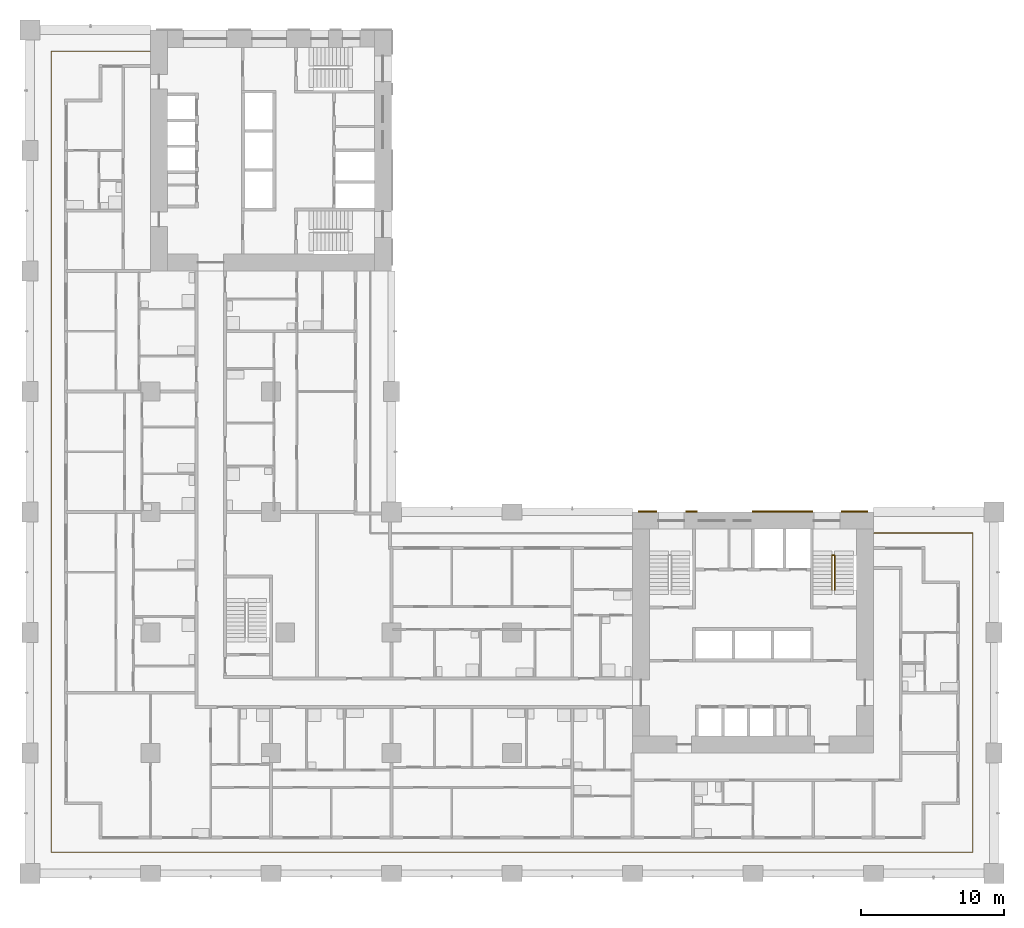
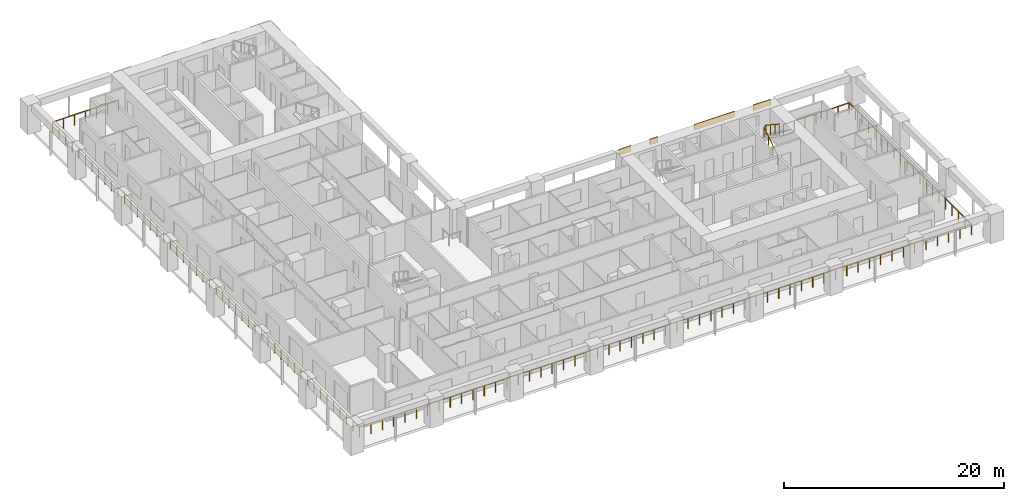
# One storey, part 14 of 19: 4 shading devices, 2 railings.
"""IFC4 building model written with IfcOpenShell, lengths in metres."""

from ifc_helpers import new_model, si_unit, direction, frame, origin, origin_2d, place, context, subcontext, project, spatial, rectangle, circle, extrude, material, layer, layer_set, type_object, element, save


model = new_model("IFC4")

# Units and contexts
model_context = context("Model", 3, precision=1e-05, world=origin(), true_north=direction((0.0, 1.0)))
body_context = subcontext(model_context, "Body", "Model", "MODEL_VIEW")
ifc_project = project(units=[si_unit("LENGTHUNIT", "METRE"), si_unit("AREAUNIT", "SQUARE_METRE"), si_unit("VOLUMEUNIT", "CUBIC_METRE"), si_unit("PLANEANGLEUNIT", "RADIAN"), si_unit("MASSUNIT", "GRAM", prefix="KILO")], contexts=[model_context])

# Site, building, storey
site_placement = place(None, origin())
site = spatial("IfcSite", under=ifc_project, at=site_placement, CompositionType="ELEMENT")
building_placement = place(site_placement, origin())
building = spatial("IfcBuilding", under=site, at=building_placement, Name="Vermilion Gate Residences", CompositionType="ELEMENT")
storey_placement = place(building_placement, frame((0.0, 0.0, 46.199951171875)))
storey = spatial("IfcBuildingStorey", under=building, at=storey_placement, Name="L10", CompositionType="ELEMENT", Elevation=46.199951171875)

# Railings
ifc_material_1 = material(Name="Stainless steel and toughened glass", Category="steel")
railing_type_1 = type_object("IfcRailingType", Name="LOGGIA GUARD STEEL AND GLASS 1200", PredefinedType="GUARDRAIL", material=ifc_material_1)
railing_1_placement = place(storey_placement, frame((8.3779296875, 57.324951171875, 0.0)))
element("IfcRailing", 1, at=railing_1_placement, inside=storey, type_object=railing_type_1, Name="Loggia guard", PredefinedType="GUARDRAIL", context=body_context, shape_type="SweptSolid", body=[
    extrude(circle(Radius=0.030029296875, at=origin_2d()), frame((0.0, 0.0, 1.169921875), z_axis=(-1.0, 0.0, 0.0), x_axis=(0.0, -1.0, 0.0)), (0.0, 0.0, 1.0), 6.90283203125),
    extrude(circle(Radius=0.030029296875, at=origin_2d()), frame((-6.90283203125, 0.0, 1.169921875), z_axis=(0.0, -1.0, 0.0), x_axis=(1.0, 0.0, 0.0)), (0.0, 0.0, 1.0), 55.849853515625),
    extrude(circle(Radius=0.030029296875, at=origin_2d()), frame((-6.90283203125, -55.849853515625, 1.169921875), z_axis=(1.0, 0.0, 0.0), x_axis=(0.0, 1.0, 0.0)), (0.0, 0.0, 1.0), 64.25),
    extrude(circle(Radius=0.030029296875, at=origin_2d()), frame((57.34716796875, -55.849853515625, 1.169921875), z_axis=(0.0, 1.0, 0.0), x_axis=(-1.0, 0.0, 0.0)), (0.0, 0.0, 1.0), 22.25),
    extrude(circle(Radius=0.030029296875, at=origin_2d()), frame((57.34716796875, -33.599853515625, 1.169921875), z_axis=(-1.0, 0.0, 0.0), x_axis=(0.0, -1.0, 0.0)), (0.0, 0.0, 1.0), 6.903076171875),
    extrude(circle(Radius=0.02490234375, at=origin_2d()), origin(), (0.0, 0.0, 1.0), 1.139892578125),
    extrude(circle(Radius=0.02490234375, at=origin_2d()), frame((-1.150390625, 0.0, 0.0)), (0.0, 0.0, 1.0), 1.139892578125),
    extrude(circle(Radius=0.02490234375, at=origin_2d()), frame((-2.301025390625, 0.0, 0.0)), (0.0, 0.0, 1.0), 1.139892578125),
    extrude(circle(Radius=0.02490234375, at=origin_2d()), frame((-3.451416015625, 0.0, 0.0)), (0.0, 0.0, 1.0), 1.139892578125),
    extrude(circle(Radius=0.02490234375, at=origin_2d()), frame((-4.601806640625, 0.0, 0.0)), (0.0, 0.0, 1.0), 1.139892578125),
    extrude(circle(Radius=0.02490234375, at=origin_2d()), frame((-5.75244140625, 0.0, 0.0)), (0.0, 0.0, 1.0), 1.139892578125),
    extrude(circle(Radius=0.02490234375, at=origin_2d()), frame((-6.90283203125, 0.0, 0.0)), (0.0, 0.0, 1.0), 1.139892578125),
    extrude(circle(Radius=0.02490234375, at=origin_2d()), frame((-6.90283203125, -1.188232421875, 0.0)), (0.0, 0.0, 1.0), 1.139892578125),
    extrude(circle(Radius=0.02490234375, at=origin_2d()), frame((-6.90283203125, -2.376708984375, 0.0)), (0.0, 0.0, 1.0), 1.139892578125),
    extrude(circle(Radius=0.02490234375, at=origin_2d()), frame((-6.90283203125, -3.56494140625, 0.0)), (0.0, 0.0, 1.0), 1.139892578125),
    extrude(circle(Radius=0.02490234375, at=origin_2d()), frame((-6.90283203125, -4.753173828125, 0.0)), (0.0, 0.0, 1.0), 1.139892578125),
    extrude(circle(Radius=0.02490234375, at=origin_2d()), frame((-6.90283203125, -5.94140625, 0.0)), (0.0, 0.0, 1.0), 1.139892578125),
    extrude(circle(Radius=0.02490234375, at=origin_2d()), frame((-6.90283203125, -7.1298828125, 0.0)), (0.0, 0.0, 1.0), 1.139892578125),
    extrude(circle(Radius=0.02490234375, at=origin_2d()), frame((-6.90283203125, -8.318115234375, 0.0)), (0.0, 0.0, 1.0), 1.139892578125),
    extrude(circle(Radius=0.02490234375, at=origin_2d()), frame((-6.90283203125, -9.50634765625, 0.0)), (0.0, 0.0, 1.0), 1.139892578125),
    extrude(circle(Radius=0.02490234375, at=origin_2d()), frame((-6.90283203125, -10.694580078125, 0.0)), (0.0, 0.0, 1.0), 1.139892578125),
    extrude(circle(Radius=0.02490234375, at=origin_2d()), frame((-6.90283203125, -11.883056640625, 0.0)), (0.0, 0.0, 1.0), 1.139892578125),
    extrude(circle(Radius=0.02490234375, at=origin_2d()), frame((-6.90283203125, -13.0712890625, 0.0)), (0.0, 0.0, 1.0), 1.139892578125),
    extrude(circle(Radius=0.02490234375, at=origin_2d()), frame((-6.90283203125, -14.259521484375, 0.0)), (0.0, 0.0, 1.0), 1.139892578125),
    extrude(circle(Radius=0.02490234375, at=origin_2d()), frame((-6.90283203125, -15.44775390625, 0.0)), (0.0, 0.0, 1.0), 1.139892578125),
    extrude(circle(Radius=0.02490234375, at=origin_2d()), frame((-6.90283203125, -16.63623046875, 0.0)), (0.0, 0.0, 1.0), 1.139892578125),
    extrude(circle(Radius=0.02490234375, at=origin_2d()), frame((-6.90283203125, -17.824462890625, 0.0)), (0.0, 0.0, 1.0), 1.139892578125),
    extrude(circle(Radius=0.02490234375, at=origin_2d()), frame((-6.90283203125, -19.0126953125, 0.0)), (0.0, 0.0, 1.0), 1.139892578125),
    extrude(circle(Radius=0.02490234375, at=origin_2d()), frame((-6.90283203125, -20.200927734375, 0.0)), (0.0, 0.0, 1.0), 1.139892578125),
    extrude(circle(Radius=0.02490234375, at=origin_2d()), frame((-6.90283203125, -21.389404296875, 0.0)), (0.0, 0.0, 1.0), 1.139892578125),
    extrude(circle(Radius=0.02490234375, at=origin_2d()), frame((-6.90283203125, -22.57763671875, 0.0)), (0.0, 0.0, 1.0), 1.139892578125),
    extrude(circle(Radius=0.02490234375, at=origin_2d()), frame((-6.90283203125, -23.765869140625, 0.0)), (0.0, 0.0, 1.0), 1.139892578125),
    extrude(circle(Radius=0.02490234375, at=origin_2d()), frame((-6.90283203125, -24.9541015625, 0.0)), (0.0, 0.0, 1.0), 1.139892578125),
    extrude(circle(Radius=0.02490234375, at=origin_2d()), frame((-6.90283203125, -26.142578125, 0.0)), (0.0, 0.0, 1.0), 1.139892578125),
    extrude(circle(Radius=0.02490234375, at=origin_2d()), frame((-6.90283203125, -27.330810546875, 0.0)), (0.0, 0.0, 1.0), 1.139892578125),
    extrude(circle(Radius=0.02490234375, at=origin_2d()), frame((-6.90283203125, -28.51904296875, 0.0)), (0.0, 0.0, 1.0), 1.139892578125),
    extrude(circle(Radius=0.02490234375, at=origin_2d()), frame((-6.90283203125, -29.707275390625, 0.0)), (0.0, 0.0, 1.0), 1.139892578125),
    extrude(circle(Radius=0.02490234375, at=origin_2d()), frame((-6.90283203125, -30.895751953125, 0.0)), (0.0, 0.0, 1.0), 1.139892578125),
    extrude(circle(Radius=0.02490234375, at=origin_2d()), frame((-6.90283203125, -32.083984375, 0.0)), (0.0, 0.0, 1.0), 1.139892578125),
    extrude(circle(Radius=0.02490234375, at=origin_2d()), frame((-6.90283203125, -33.272216796875, 0.0)), (0.0, 0.0, 1.0), 1.139892578125),
    extrude(circle(Radius=0.02490234375, at=origin_2d()), frame((-6.90283203125, -34.46044921875, 0.0)), (0.0, 0.0, 1.0), 1.139892578125),
    extrude(circle(Radius=0.02490234375, at=origin_2d()), frame((-6.90283203125, -35.64892578125, 0.0)), (0.0, 0.0, 1.0), 1.139892578125),
    extrude(circle(Radius=0.02490234375, at=origin_2d()), frame((-6.90283203125, -36.837158203125, 0.0)), (0.0, 0.0, 1.0), 1.139892578125),
    extrude(circle(Radius=0.02490234375, at=origin_2d()), frame((-6.90283203125, -38.025390625, 0.0)), (0.0, 0.0, 1.0), 1.139892578125),
    extrude(circle(Radius=0.02490234375, at=origin_2d()), frame((-6.90283203125, -39.213623046875, 0.0)), (0.0, 0.0, 1.0), 1.139892578125),
    extrude(circle(Radius=0.02490234375, at=origin_2d()), frame((-6.90283203125, -40.402099609375, 0.0)), (0.0, 0.0, 1.0), 1.139892578125),
    extrude(circle(Radius=0.02490234375, at=origin_2d()), frame((-6.90283203125, -41.59033203125, 0.0)), (0.0, 0.0, 1.0), 1.139892578125),
    extrude(circle(Radius=0.02490234375, at=origin_2d()), frame((-6.90283203125, -42.778564453125, 0.0)), (0.0, 0.0, 1.0), 1.139892578125),
    extrude(circle(Radius=0.02490234375, at=origin_2d()), frame((-6.90283203125, -43.966796875, 0.0)), (0.0, 0.0, 1.0), 1.139892578125),
    extrude(circle(Radius=0.02490234375, at=origin_2d()), frame((-6.90283203125, -45.1552734375, 0.0)), (0.0, 0.0, 1.0), 1.139892578125),
    extrude(circle(Radius=0.02490234375, at=origin_2d()), frame((-6.90283203125, -46.343505859375, 0.0)), (0.0, 0.0, 1.0), 1.139892578125),
    extrude(circle(Radius=0.02490234375, at=origin_2d()), frame((-6.90283203125, -47.53173828125, 0.0)), (0.0, 0.0, 1.0), 1.139892578125),
    extrude(circle(Radius=0.02490234375, at=origin_2d()), frame((-6.90283203125, -48.719970703125, 0.0)), (0.0, 0.0, 1.0), 1.139892578125),
    extrude(circle(Radius=0.02490234375, at=origin_2d()), frame((-6.90283203125, -49.908447265625, 0.0)), (0.0, 0.0, 1.0), 1.139892578125),
    extrude(circle(Radius=0.02490234375, at=origin_2d()), frame((-6.90283203125, -51.0966796875, 0.0)), (0.0, 0.0, 1.0), 1.139892578125),
    extrude(circle(Radius=0.02490234375, at=origin_2d()), frame((-6.90283203125, -52.284912109375, 0.0)), (0.0, 0.0, 1.0), 1.139892578125),
    extrude(circle(Radius=0.02490234375, at=origin_2d()), frame((-6.90283203125, -53.47314453125, 0.0)), (0.0, 0.0, 1.0), 1.139892578125),
    extrude(circle(Radius=0.02490234375, at=origin_2d()), frame((-6.90283203125, -54.66162109375, 0.0)), (0.0, 0.0, 1.0), 1.139892578125),
    extrude(circle(Radius=0.02490234375, at=origin_2d()), frame((-6.90283203125, -55.849853515625, 0.0)), (0.0, 0.0, 1.0), 1.139892578125),
    extrude(circle(Radius=0.02490234375, at=origin_2d()), frame((-5.713134765625, -55.849853515625, 0.0)), (0.0, 0.0, 1.0), 1.139892578125),
    extrude(circle(Radius=0.02490234375, at=origin_2d()), frame((-4.523193359375, -55.849853515625, 0.0)), (0.0, 0.0, 1.0), 1.139892578125),
    extrude(circle(Radius=0.02490234375, at=origin_2d()), frame((-3.33349609375, -55.849853515625, 0.0)), (0.0, 0.0, 1.0), 1.139892578125),
    extrude(circle(Radius=0.02490234375, at=origin_2d()), frame((-2.1435546875, -55.849853515625, 0.0)), (0.0, 0.0, 1.0), 1.139892578125),
    extrude(circle(Radius=0.02490234375, at=origin_2d()), frame((-0.953857421875, -55.849853515625, 0.0)), (0.0, 0.0, 1.0), 1.139892578125),
    extrude(circle(Radius=0.02490234375, at=origin_2d()), frame((0.236083984375, -55.849853515625, 0.0)), (0.0, 0.0, 1.0), 1.139892578125),
    extrude(circle(Radius=0.02490234375, at=origin_2d()), frame((1.42578125, -55.849853515625, 0.0)), (0.0, 0.0, 1.0), 1.139892578125),
    extrude(circle(Radius=0.02490234375, at=origin_2d()), frame((2.61572265625, -55.849853515625, 0.0)), (0.0, 0.0, 1.0), 1.139892578125),
    extrude(circle(Radius=0.02490234375, at=origin_2d()), frame((3.805419921875, -55.849853515625, 0.0)), (0.0, 0.0, 1.0), 1.139892578125),
    extrude(circle(Radius=0.02490234375, at=origin_2d()), frame((4.995361328125, -55.849853515625, 0.0)), (0.0, 0.0, 1.0), 1.139892578125),
    extrude(circle(Radius=0.02490234375, at=origin_2d()), frame((6.18505859375, -55.849853515625, 0.0)), (0.0, 0.0, 1.0), 1.139892578125),
    extrude(circle(Radius=0.02490234375, at=origin_2d()), frame((7.375, -55.849853515625, 0.0)), (0.0, 0.0, 1.0), 1.139892578125),
    extrude(circle(Radius=0.02490234375, at=origin_2d()), frame((8.564697265625, -55.849853515625, 0.0)), (0.0, 0.0, 1.0), 1.139892578125),
    extrude(circle(Radius=0.02490234375, at=origin_2d()), frame((9.754638671875, -55.849853515625, 0.0)), (0.0, 0.0, 1.0), 1.139892578125),
    extrude(circle(Radius=0.02490234375, at=origin_2d()), frame((10.9443359375, -55.849853515625, 0.0)), (0.0, 0.0, 1.0), 1.139892578125),
    extrude(circle(Radius=0.02490234375, at=origin_2d()), frame((12.13427734375, -55.849853515625, 0.0)), (0.0, 0.0, 1.0), 1.139892578125),
    extrude(circle(Radius=0.02490234375, at=origin_2d()), frame((13.323974609375, -55.849853515625, 0.0)), (0.0, 0.0, 1.0), 1.139892578125),
    extrude(circle(Radius=0.02490234375, at=origin_2d()), frame((14.513916015625, -55.849853515625, 0.0)), (0.0, 0.0, 1.0), 1.139892578125),
    extrude(circle(Radius=0.02490234375, at=origin_2d()), frame((15.70361328125, -55.849853515625, 0.0)), (0.0, 0.0, 1.0), 1.139892578125),
    extrude(circle(Radius=0.02490234375, at=origin_2d()), frame((16.8935546875, -55.849853515625, 0.0)), (0.0, 0.0, 1.0), 1.139892578125),
    extrude(circle(Radius=0.02490234375, at=origin_2d()), frame((18.083251953125, -55.849853515625, 0.0)), (0.0, 0.0, 1.0), 1.139892578125),
    extrude(circle(Radius=0.02490234375, at=origin_2d()), frame((19.273193359375, -55.849853515625, 0.0)), (0.0, 0.0, 1.0), 1.139892578125),
    extrude(circle(Radius=0.02490234375, at=origin_2d()), frame((20.462890625, -55.849853515625, 0.0)), (0.0, 0.0, 1.0), 1.139892578125),
    extrude(circle(Radius=0.02490234375, at=origin_2d()), frame((21.65283203125, -55.849853515625, 0.0)), (0.0, 0.0, 1.0), 1.139892578125),
    extrude(circle(Radius=0.02490234375, at=origin_2d()), frame((22.842529296875, -55.849853515625, 0.0)), (0.0, 0.0, 1.0), 1.139892578125),
    extrude(circle(Radius=0.02490234375, at=origin_2d()), frame((24.032470703125, -55.849853515625, 0.0)), (0.0, 0.0, 1.0), 1.139892578125),
    extrude(circle(Radius=0.02490234375, at=origin_2d()), frame((25.22216796875, -55.849853515625, 0.0)), (0.0, 0.0, 1.0), 1.139892578125),
    extrude(circle(Radius=0.02490234375, at=origin_2d()), frame((26.411865234375, -55.849853515625, 0.0)), (0.0, 0.0, 1.0), 1.139892578125),
    extrude(circle(Radius=0.02490234375, at=origin_2d()), frame((27.601806640625, -55.849853515625, 0.0)), (0.0, 0.0, 1.0), 1.139892578125),
    extrude(circle(Radius=0.02490234375, at=origin_2d()), frame((28.79150390625, -55.849853515625, 0.0)), (0.0, 0.0, 1.0), 1.139892578125),
    extrude(circle(Radius=0.02490234375, at=origin_2d()), frame((29.9814453125, -55.849853515625, 0.0)), (0.0, 0.0, 1.0), 1.139892578125),
    extrude(circle(Radius=0.02490234375, at=origin_2d()), frame((31.171142578125, -55.849853515625, 0.0)), (0.0, 0.0, 1.0), 1.139892578125),
    extrude(circle(Radius=0.02490234375, at=origin_2d()), frame((32.361083984375, -55.849853515625, 0.0)), (0.0, 0.0, 1.0), 1.139892578125),
    extrude(circle(Radius=0.02490234375, at=origin_2d()), frame((33.55078125, -55.849853515625, 0.0)), (0.0, 0.0, 1.0), 1.139892578125),
    extrude(circle(Radius=0.02490234375, at=origin_2d()), frame((34.74072265625, -55.849853515625, 0.0)), (0.0, 0.0, 1.0), 1.139892578125),
    extrude(circle(Radius=0.02490234375, at=origin_2d()), frame((35.930419921875, -55.849853515625, 0.0)), (0.0, 0.0, 1.0), 1.139892578125),
    extrude(circle(Radius=0.02490234375, at=origin_2d()), frame((37.120361328125, -55.849853515625, 0.0)), (0.0, 0.0, 1.0), 1.139892578125),
    extrude(circle(Radius=0.02490234375, at=origin_2d()), frame((38.31005859375, -55.849853515625, 0.0)), (0.0, 0.0, 1.0), 1.139892578125),
    extrude(circle(Radius=0.02490234375, at=origin_2d()), frame((39.5, -55.849853515625, 0.0)), (0.0, 0.0, 1.0), 1.139892578125),
    extrude(circle(Radius=0.02490234375, at=origin_2d()), frame((40.689697265625, -55.849853515625, 0.0)), (0.0, 0.0, 1.0), 1.139892578125),
    extrude(circle(Radius=0.02490234375, at=origin_2d()), frame((41.879638671875, -55.849853515625, 0.0)), (0.0, 0.0, 1.0), 1.139892578125),
    extrude(circle(Radius=0.02490234375, at=origin_2d()), frame((43.0693359375, -55.849853515625, 0.0)), (0.0, 0.0, 1.0), 1.139892578125),
    extrude(circle(Radius=0.02490234375, at=origin_2d()), frame((44.25927734375, -55.849853515625, 0.0)), (0.0, 0.0, 1.0), 1.139892578125),
    extrude(circle(Radius=0.02490234375, at=origin_2d()), frame((45.448974609375, -55.849853515625, 0.0)), (0.0, 0.0, 1.0), 1.139892578125),
    extrude(circle(Radius=0.02490234375, at=origin_2d()), frame((46.638916015625, -55.849853515625, 0.0)), (0.0, 0.0, 1.0), 1.139892578125),
    extrude(circle(Radius=0.02490234375, at=origin_2d()), frame((47.82861328125, -55.849853515625, 0.0)), (0.0, 0.0, 1.0), 1.139892578125),
    extrude(circle(Radius=0.02490234375, at=origin_2d()), frame((49.0185546875, -55.849853515625, 0.0)), (0.0, 0.0, 1.0), 1.139892578125),
    extrude(circle(Radius=0.02490234375, at=origin_2d()), frame((50.208251953125, -55.849853515625, 0.0)), (0.0, 0.0, 1.0), 1.139892578125),
    extrude(circle(Radius=0.02490234375, at=origin_2d()), frame((51.398193359375, -55.849853515625, 0.0)), (0.0, 0.0, 1.0), 1.139892578125),
    extrude(circle(Radius=0.02490234375, at=origin_2d()), frame((52.587890625, -55.849853515625, 0.0)), (0.0, 0.0, 1.0), 1.139892578125),
    extrude(circle(Radius=0.02490234375, at=origin_2d()), frame((53.77783203125, -55.849853515625, 0.0)), (0.0, 0.0, 1.0), 1.139892578125),
    extrude(circle(Radius=0.02490234375, at=origin_2d()), frame((54.967529296875, -55.849853515625, 0.0)), (0.0, 0.0, 1.0), 1.139892578125),
    extrude(circle(Radius=0.02490234375, at=origin_2d()), frame((56.157470703125, -55.849853515625, 0.0)), (0.0, 0.0, 1.0), 1.139892578125),
    extrude(circle(Radius=0.02490234375, at=origin_2d()), frame((57.34716796875, -55.849853515625, 0.0)), (0.0, 0.0, 1.0), 1.139892578125),
    extrude(circle(Radius=0.02490234375, at=origin_2d()), frame((57.34716796875, -54.6787109375, 0.0)), (0.0, 0.0, 1.0), 1.139892578125),
    extrude(circle(Radius=0.02490234375, at=origin_2d()), frame((57.34716796875, -53.5078125, 0.0)), (0.0, 0.0, 1.0), 1.139892578125),
    extrude(circle(Radius=0.02490234375, at=origin_2d()), frame((57.34716796875, -52.336669921875, 0.0)), (0.0, 0.0, 1.0), 1.139892578125),
    extrude(circle(Radius=0.02490234375, at=origin_2d()), frame((57.34716796875, -51.16552734375, 0.0)), (0.0, 0.0, 1.0), 1.139892578125),
    extrude(circle(Radius=0.02490234375, at=origin_2d()), frame((57.34716796875, -49.99462890625, 0.0)), (0.0, 0.0, 1.0), 1.139892578125),
    extrude(circle(Radius=0.02490234375, at=origin_2d()), frame((57.34716796875, -48.823486328125, 0.0)), (0.0, 0.0, 1.0), 1.139892578125),
    extrude(circle(Radius=0.02490234375, at=origin_2d()), frame((57.34716796875, -47.652587890625, 0.0)), (0.0, 0.0, 1.0), 1.139892578125),
    extrude(circle(Radius=0.02490234375, at=origin_2d()), frame((57.34716796875, -46.4814453125, 0.0)), (0.0, 0.0, 1.0), 1.139892578125),
    extrude(circle(Radius=0.02490234375, at=origin_2d()), frame((57.34716796875, -45.310302734375, 0.0)), (0.0, 0.0, 1.0), 1.139892578125),
    extrude(circle(Radius=0.02490234375, at=origin_2d()), frame((57.34716796875, -44.139404296875, 0.0)), (0.0, 0.0, 1.0), 1.139892578125),
    extrude(circle(Radius=0.02490234375, at=origin_2d()), frame((57.34716796875, -42.96826171875, 0.0)), (0.0, 0.0, 1.0), 1.139892578125),
    extrude(circle(Radius=0.02490234375, at=origin_2d()), frame((57.34716796875, -41.797119140625, 0.0)), (0.0, 0.0, 1.0), 1.139892578125),
    extrude(circle(Radius=0.02490234375, at=origin_2d()), frame((57.34716796875, -40.626220703125, 0.0)), (0.0, 0.0, 1.0), 1.139892578125),
    extrude(circle(Radius=0.02490234375, at=origin_2d()), frame((57.34716796875, -39.455078125, 0.0)), (0.0, 0.0, 1.0), 1.139892578125),
    extrude(circle(Radius=0.02490234375, at=origin_2d()), frame((57.34716796875, -38.2841796875, 0.0)), (0.0, 0.0, 1.0), 1.139892578125),
    extrude(circle(Radius=0.02490234375, at=origin_2d()), frame((57.34716796875, -37.113037109375, 0.0)), (0.0, 0.0, 1.0), 1.139892578125),
    extrude(circle(Radius=0.02490234375, at=origin_2d()), frame((57.34716796875, -35.94189453125, 0.0)), (0.0, 0.0, 1.0), 1.139892578125),
    extrude(circle(Radius=0.02490234375, at=origin_2d()), frame((57.34716796875, -34.77099609375, 0.0)), (0.0, 0.0, 1.0), 1.139892578125),
    extrude(circle(Radius=0.02490234375, at=origin_2d()), frame((57.34716796875, -33.599853515625, 0.0)), (0.0, 0.0, 1.0), 1.139892578125),
    extrude(circle(Radius=0.02490234375, at=origin_2d()), frame((56.19677734375, -33.599853515625, 0.0)), (0.0, 0.0, 1.0), 1.139892578125),
    extrude(circle(Radius=0.02490234375, at=origin_2d()), frame((55.046142578125, -33.599853515625, 0.0)), (0.0, 0.0, 1.0), 1.139892578125),
    extrude(circle(Radius=0.02490234375, at=origin_2d()), frame((53.8955078125, -33.599853515625, 0.0)), (0.0, 0.0, 1.0), 1.139892578125),
    extrude(circle(Radius=0.02490234375, at=origin_2d()), frame((52.7451171875, -33.599853515625, 0.0)), (0.0, 0.0, 1.0), 1.139892578125),
    extrude(circle(Radius=0.02490234375, at=origin_2d()), frame((51.5947265625, -33.599853515625, 0.0)), (0.0, 0.0, 1.0), 1.139892578125),
    extrude(circle(Radius=0.02490234375, at=origin_2d()), frame((50.444091796875, -33.599853515625, 0.0)), (0.0, 0.0, 1.0), 1.139892578125),
])
ifc_material_2 = material(Name="Steel S355", Category="steel")
railing_type_2 = type_object("IfcRailingType", Name="STAIR GUARD 1100 STEEL", PredefinedType="GUARDRAIL", material=ifc_material_2)
railing_2_placement = place(storey_placement, frame((55.89990234375, 19.75, 0.175048828125)))
element("IfcRailing", 2, at=railing_2_placement, inside=storey, type_object=railing_type_2, Name="Stair well guard STA2-10", PredefinedType="GUARDRAIL", context=body_context, shape_type="SweptSolid", body=[
    extrude(circle(Radius=0.02392578125, at=origin_2d()), frame((0.0, 0.0, 1.076171875), z_axis=(0.0, 0.839153699163, 0.543894354798), x_axis=(-1.0, 0.0, 0.0)), (0.0, 0.0, 1.0), 2.895751953125),
    extrude(circle(Radius=0.02392578125, at=origin_2d()), frame((0.0, 2.429931640625, 2.65087890625), z_axis=(0.752804132164, 0.0, 0.658244588734), x_axis=(0.0, 1.0, 0.0)), (0.0, 0.0, 1.0), 0.265869140625),
    extrude(circle(Radius=0.02392578125, at=origin_2d()), frame((0.2001953125, 2.429931640625, 2.826171875), z_axis=(0.0, -0.839153699163, 0.543894354798), x_axis=(1.0, 0.0, 0.0)), (0.0, 0.0, 1.0), 2.895751953125),
    extrude(circle(Radius=0.02099609375, at=origin_2d()), origin(), (0.0, 0.0, 1.0), 1.052001953125),
    extrude(circle(Radius=0.02099609375, at=origin_2d()), frame((0.0, 0.81005859375, 0.52490234375)), (0.0, 0.0, 1.0), 1.052001953125),
    extrude(circle(Radius=0.02099609375, at=origin_2d()), frame((0.0, 1.619873046875, 1.050048828125)), (0.0, 0.0, 1.0), 1.052001953125),
    extrude(circle(Radius=0.02099609375, at=origin_2d()), frame((0.0, 2.429931640625, 1.574951171875)), (0.0, 0.0, 1.0), 1.052001953125),
    extrude(circle(Radius=0.02099609375, at=origin_2d()), frame((0.2001953125, 2.429931640625, 1.75)), (0.0, 0.0, 1.0), 1.052001953125),
    extrude(circle(Radius=0.02099609375, at=origin_2d()), frame((0.2001953125, 1.619873046875, 2.27490234375)), (0.0, 0.0, 1.0), 1.052001953125),
    extrude(circle(Radius=0.02099609375, at=origin_2d()), frame((0.2001953125, 0.81005859375, 2.800048828125)), (0.0, 0.0, 1.0), 1.052001953125),
    extrude(circle(Radius=0.02099609375, at=origin_2d()), frame((0.2001953125, 0.0, 3.324951171875)), (0.0, 0.0, 1.0), 1.052001953125),
])

# Shading devices
ifc_material_3 = material(Name="Extruded terracotta", Category="masonry")
ifc_layer = layer(ifc_material_3, 0.10009765625)
ifc_layer_set = layer_set([ifc_layer], Name="TERRACOTTA SPANDREL BAND 600 X 100")
shading_device_type = type_object("IfcShadingDeviceType", Name="TERRACOTTA SPANDREL BAND 600 X 100", PredefinedType="USERDEFINED", material=ifc_layer_set)
shading_device_1_placement = place(storey_placement, frame((43.050048828125, 25.25, 2.6201171875), z_axis=(0.0, 0.0, 1.0), x_axis=(1.0, 0.0, 0.0)))
element("IfcShadingDevice", 3, at=shading_device_1_placement, inside=storey, type_object=shading_device_type, Name="SPANDREL BAND", ObjectType="BAND", PredefinedType="USERDEFINED", context=body_context, shape_type="SweptSolid", body=[
    extrude(rectangle(XDim=1.300048828125, YDim=0.10009765625, at=origin_2d()), origin(), (0.0, 0.0, 1.0), 0.60009765625),
])
shading_device_2_placement = place(storey_placement, frame((46.112548828125, 25.25, 2.6201171875), z_axis=(0.0, 0.0, 1.0), x_axis=(1.0, 0.0, 0.0)))
element("IfcShadingDevice", 4, at=shading_device_2_placement, inside=storey, type_object=shading_device_type, Name="SPANDREL BAND", ObjectType="BAND", PredefinedType="USERDEFINED", context=body_context, shape_type="SweptSolid", body=[
    extrude(rectangle(XDim=0.824951171875, YDim=0.10009765625, at=origin_2d()), origin(), (0.0, 0.0, 1.0), 0.60009765625),
])
shading_device_3_placement = place(storey_placement, frame((52.449951171875, 25.25, 2.6201171875), z_axis=(0.0, 0.0, 1.0), x_axis=(1.0, 0.0, 0.0)))
element("IfcShadingDevice", 5, at=shading_device_3_placement, inside=storey, type_object=shading_device_type, Name="SPANDREL BAND", ObjectType="BAND", PredefinedType="USERDEFINED", context=body_context, shape_type="SweptSolid", body=[
    extrude(rectangle(XDim=4.199951171875, YDim=0.10009765625, at=origin_2d()), origin(), (0.0, 0.0, 1.0), 0.60009765625),
])
shading_device_4_placement = place(storey_placement, frame((57.47509765625, 25.25, 2.6201171875), z_axis=(0.0, 0.0, 1.0), x_axis=(1.0, 0.0, 0.0)))
element("IfcShadingDevice", 6, at=shading_device_4_placement, inside=storey, type_object=shading_device_type, Name="SPANDREL BAND", ObjectType="BAND", PredefinedType="USERDEFINED", context=body_context, shape_type="SweptSolid", body=[
    extrude(rectangle(XDim=1.85009765625, YDim=0.10009765625, at=origin_2d()), origin(), (0.0, 0.0, 1.0), 0.60009765625),
])

save(model, "model.ifc")
